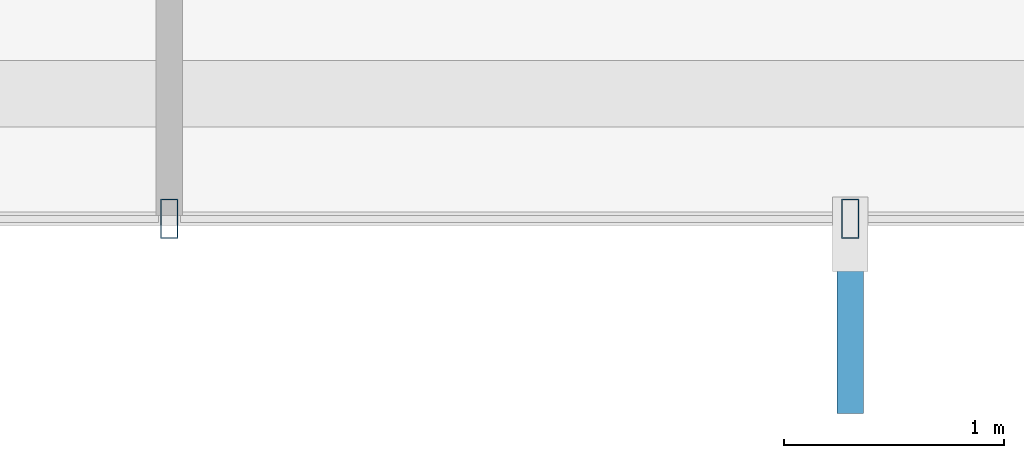
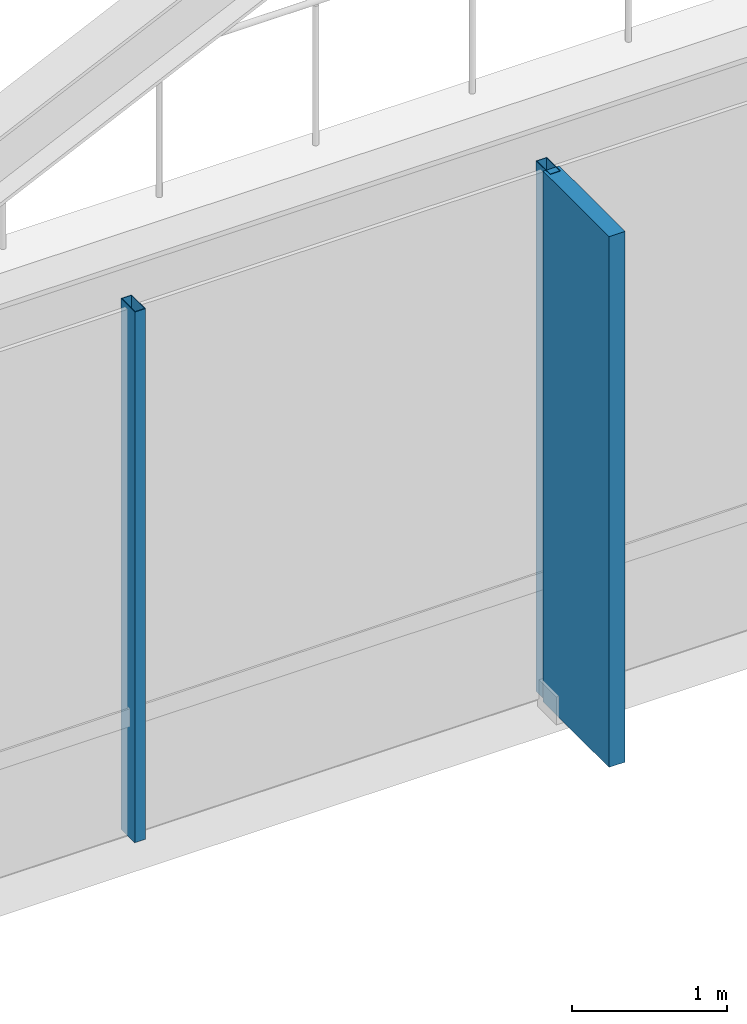
# One storey, part 6 of 25: 3 members, 1 element without a shape of its own.
"""IFC4 building model written with IfcOpenShell, lengths in metres."""

from ifc_helpers import new_model, si_unit, direction, frame, origin, origin_2d, place, context, subcontext, project, spatial, rectangle, hollow_rectangle, extrude, material, layer, layer_set, material_profile, profile_set, type_object, element, aggregate, save


model = new_model("IFC4")

# Units and contexts
model_context = context("Model", 3, precision=1e-05, world=origin(), true_north=direction((0.0, 1.0)))
body_context = subcontext(model_context, "Body", "Model", "MODEL_VIEW")
ifc_project = project(units=[si_unit("LENGTHUNIT", "METRE"), si_unit("AREAUNIT", "SQUARE_METRE"), si_unit("VOLUMEUNIT", "CUBIC_METRE"), si_unit("PLANEANGLEUNIT", "RADIAN"), si_unit("MASSUNIT", "GRAM", prefix="KILO")], contexts=[model_context])

# Site, building, storey
site_placement = place(None, origin())
site = spatial("IfcSite", under=ifc_project, at=site_placement, CompositionType="ELEMENT")
building_placement = place(site_placement, origin())
building = spatial("IfcBuilding", under=site, at=building_placement, Name="Zarrinselat Tower", CompositionType="ELEMENT")
storey_placement = place(building_placement, frame((0.0, 0.0, 119.0)))
storey = spatial("IfcBuildingStorey", under=building, at=storey_placement, Name="L28", CompositionType="ELEMENT", Elevation=119.0)

# Curtain wall, members
ifc_material_1 = material(Name="Extruded Aluminium Alloy EN AW-6063 T6", Category="aluminium")
ifc_layer = layer(ifc_material_1, 0.195068359375)
ifc_layer_set = layer_set([ifc_layer], Name="Extruded Aluminium Alloy EN AW-6063 T6")
curtain_wall_type = type_object("IfcCurtainWallType", Name="CWS-GDN", PredefinedType="NOTDEFINED", material=ifc_layer_set)
curtain_wall_placement = place(storey_placement, origin())
curtain_wall = element("IfcCurtainWall", 1, at=curtain_wall_placement, inside=storey, type_object=curtain_wall_type, Name="L28 Unitised Curtain Wall CW-L28-E01", PredefinedType="NOTDEFINED")
ifc_material_2 = material(Name="Extruded Aluminium Alloy EN AW-6063 T6", Category="aluminium")
ifc_material_profile_1 = material_profile(ifc_material_2, hollow_rectangle(XDim=0.080078125, YDim=0.179931640625, WallThickness=0.0048828125, at=origin_2d()), Name="RHS 180x80x5")
ifc_profile_set_1 = profile_set([ifc_material_profile_1], Name="Extruded Aluminium Alloy EN AW-6063 T6")
member_type_1 = type_object("IfcMemberType", Name="MEM-CW-MUL", PredefinedType="MULLION", material=ifc_profile_set_1)
member_1_placement = place(storey_placement, frame((36.593505859375, 18.147216796875, 0.0), z_axis=(0.0, 0.0, 1.0), x_axis=(-1.0, 0.0, 0.0)))
member_1 = element("IfcMember", 2, at=member_1_placement, type_object=member_type_1, Name="CW-L28-E01 Mullion 3", PredefinedType="MULLION", context=body_context, shape_type="SweptSolid", body=[
    extrude(hollow_rectangle(XDim=0.080078125, YDim=0.179931640625, WallThickness=0.0048828125, at=origin_2d()), origin(), (0.0, 0.0, 1.0), 4.179931640625),
])
member_2_placement = place(storey_placement, frame((33.5, 18.147216796875, 0.0), z_axis=(0.0, 0.0, 1.0), x_axis=(-1.0, 0.0, 0.0)))
member_2 = element("IfcMember", 3, at=member_2_placement, type_object=member_type_1, Name="CW-L28-E01 Mullion 4", PredefinedType="MULLION", context=body_context, shape_type="SweptSolid", body=[
    extrude(hollow_rectangle(XDim=0.080078125, YDim=0.179931640625, WallThickness=0.0048828125, at=origin_2d()), origin(), (0.0, 0.0, 1.0), 4.179931640625),
])
ifc_material_3 = material(Name="Honed Cream Travertine Stone", Category="masonry")
ifc_material_profile_2 = material_profile(ifc_material_3, rectangle(XDim=0.1201171875, YDim=0.85009765625, at=origin_2d()), Name="FIN 850x120")
ifc_profile_set_2 = profile_set([ifc_material_profile_2], Name="Honed Cream Travertine Stone")
member_type_2 = type_object("IfcMemberType", Name="MEM-STONE-FIN", PredefinedType="USERDEFINED", material=ifc_profile_set_2)
member_3_placement = place(storey_placement, frame((36.593505859375, 17.68701171875, 0.0), z_axis=(0.0, 0.0, 1.0), x_axis=(-1.0, 0.0, 0.0)))
member_3 = element("IfcMember", 4, at=member_3_placement, type_object=member_type_2, Name="L28 Stone Shading Fin CW-L28-E01-03", ObjectType="FIN", PredefinedType="USERDEFINED", context=body_context, shape_type="SweptSolid", body=[
    extrude(rectangle(XDim=0.1201171875, YDim=0.85009765625, at=origin_2d()), origin(), (0.0, 0.0, 1.0), 4.179931640625),
])
aggregate(curtain_wall, [member_1, member_3, member_2])

save(model, "model.ifc")
